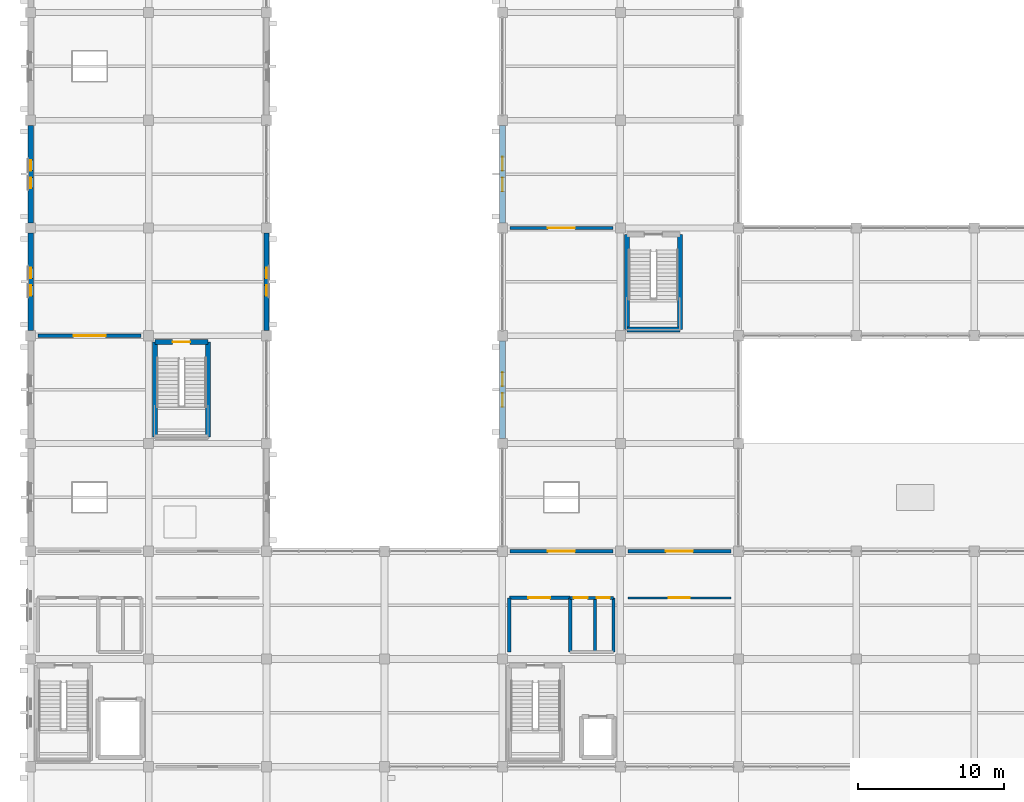
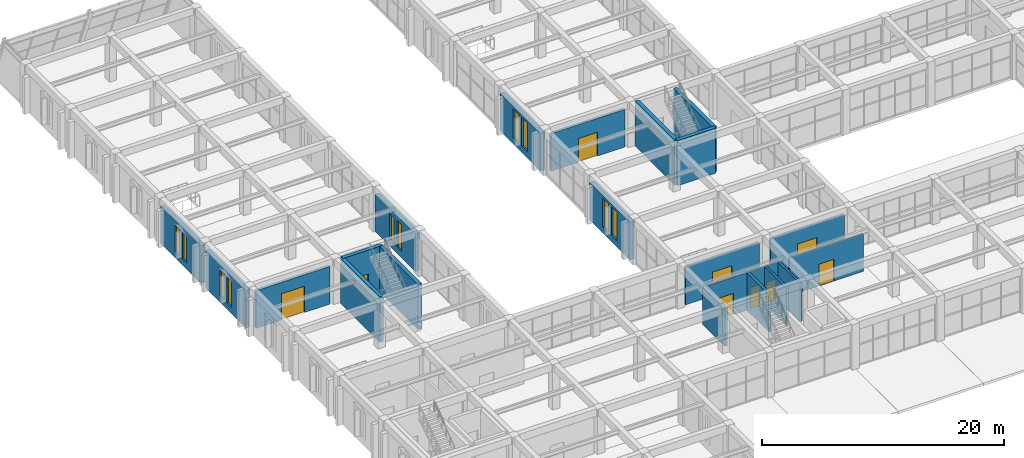
# One storey, part 145 of 161: 22 walls, 10 windows, 9 doors, 19 openings.
"""IFC4 building model written with IfcOpenShell, lengths in metres."""

from ifc_helpers import new_model, si_unit, direction, frame, frame_2d, origin, place, context, subcontext, project, spatial, rectangle, extrude, material, layer, layer_set, type_object, element, fill, save


model = new_model("IFC4")

# Units and contexts
model_context = context("Model", 3, precision=1e-05, world=origin(), true_north=direction((0.0, 1.0)))
body_context = subcontext(model_context, "Body", "Model", "MODEL_VIEW")
ifc_project = project(units=[si_unit("LENGTHUNIT", "METRE"), si_unit("AREAUNIT", "SQUARE_METRE"), si_unit("VOLUMEUNIT", "CUBIC_METRE"), si_unit("PLANEANGLEUNIT", "RADIAN"), si_unit("MASSUNIT", "GRAM", prefix="KILO")], contexts=[model_context])

# Site, building, storey
site_placement = place(None, origin())
site = spatial("IfcSite", under=ifc_project, at=site_placement, CompositionType="ELEMENT")
building_placement = place(site_placement, origin())
building = spatial("IfcBuilding", under=site, at=building_placement, Name="Cimatlan Art Gallery", CompositionType="ELEMENT")
storey_placement = place(building_placement, frame((0.0, 0.0, 5.39990234375)))
storey = spatial("IfcBuildingStorey", under=building, at=storey_placement, Name="L01", CompositionType="ELEMENT", Elevation=5.39990234375)

# Walls
ifc_material_1 = material(Name="Concrete C40/50", Category="concrete")
ifc_layer_1 = layer(ifc_material_1, 0.35009765625)
ifc_layer_set_1 = layer_set([ifc_layer_1], Name="Concrete C40/50")
wall_type_1 = type_object("IfcWallType", Name="W-CORE-350", PredefinedType="SHEAR", material=ifc_layer_set_1)
for number, where, z_axis, x_axis, name in (
    (1, (10.5400390625, 46.5400390625, 0.0), (0.0, 0.0, 1.0), (0.0, 1.0, 0.0), "WL-CORE-C7-L01-SW"),
    (2, (14.179931640625, 46.5400390625, 0.0), (0.0, 0.0, 1.0), (0.0, 1.0, 0.0), "WL-CORE-C7-L01-SE"),
):
    element("IfcWall", number, at=place(storey_placement, frame(where, z_axis=z_axis, x_axis=x_axis)), inside=storey, type_object=wall_type_1, Name=name, PredefinedType="SHEAR", context=body_context, shape_type="SweptSolid", body=[
        extrude(rectangle(XDim=6.52001953125, YDim=0.35009765625, at=frame_2d((3.260009765625, 0.0))), origin(), (0.0, 0.0, 1.0), 4.55517578125),
    ])

# Wall, opening, door
wall_1_placement = place(storey_placement, frame((10.5400390625, 53.06005859375, 0.0), z_axis=(0.0, 0.0, 1.0), x_axis=(1.0, 0.0, 0.0)))
wall_1 = element("IfcWall", 3, at=wall_1_placement, inside=storey, type_object=wall_type_1, Name="WL-CORE-C7-L01-SN", PredefinedType="SHEAR", context=body_context, shape_type="SweptSolid", body=[
    extrude(rectangle(XDim=3.639892578125, YDim=0.35009765625, at=frame_2d((1.81982421875, 0.0))), origin(), (0.0, 0.0, 1.0), 4.55517578125),
])
opening_1_placement = place(wall_1_placement, frame((1.219970703125, 0.0, 0.0)))
opening_1 = element("IfcOpeningElement", 4, at=opening_1_placement, cuts=wall_1, Name="Opening FD-C7-L01", PredefinedType="OPENING", context=body_context, shape_type="SweptSolid", body=[
    extrude(rectangle(XDim=1.199951171875, YDim=2.14990234375, at=frame_2d((0.60009765625, 1.074951171875))), frame((0.0, 0.18505859375, 0.0), z_axis=(0.0, -1.0, 0.0), x_axis=(1.0, 0.0, 0.0)), (0.0, 0.0, 1.0), 0.3701171875),
])
ifc_material_2 = material(Name="Fire-resisting steel acoustic stair door", Category="steel")
door_type_1 = type_object("IfcDoorType", Name="FD-ST-1200", OperationType="NOTDEFINED", PredefinedType="DOOR", material=ifc_material_2)
door_1_placement = place(opening_1_placement, origin())
door_1 = element("IfcDoor", 5, at=door_1_placement, inside=storey, type_object=door_type_1, Name="DR-C7-L01-ST", OperationType="SINGLE_SWING_RIGHT", OverallHeight=2.14990234375, OverallWidth=1.199951171875, PredefinedType="DOOR", context=body_context, shape_type="SweptSolid", body=[
    extrude(rectangle(XDim=1.199951171875, YDim=2.14990234375, at=frame_2d((0.60009765625, 1.074951171875))), frame((0.0, 0.02490234375, 0.0), z_axis=(0.0, -1.0, 0.0), x_axis=(1.0, 0.0, 0.0)), (0.0, 0.0, 1.0), 0.050048828125),
])
fill(opening_1, door_1)

# Walls
wall_2_placement = place(storey_placement, frame((42.93994140625, 53.93994140625, 0.0), z_axis=(0.0, 0.0, 1.0), x_axis=(0.0, 1.0, 0.0)))
element("IfcWall", 6, at=wall_2_placement, inside=storey, type_object=wall_type_1, Name="WL-CORE-C8-L01-SW", PredefinedType="SHEAR", context=body_context, shape_type="SweptSolid", body=[
    extrude(rectangle(XDim=6.52001953125, YDim=0.35009765625, at=frame_2d((3.260009765625, 0.0))), origin(), (0.0, 0.0, 1.0), 4.55517578125),
])
wall_3_placement = place(storey_placement, frame((42.93994140625, 53.93994140625, 0.0), z_axis=(0.0, 0.0, 1.0), x_axis=(1.0, 0.0, 0.0)))
element("IfcWall", 7, at=wall_3_placement, inside=storey, type_object=wall_type_1, Name="WL-CORE-C8-L01-SS", PredefinedType="SHEAR", context=body_context, shape_type="SweptSolid", body=[
    extrude(rectangle(XDim=3.64013671875, YDim=0.35009765625, at=frame_2d((1.820068359375, 0.0))), origin(), (0.0, 0.0, 1.0), 4.55517578125),
])
wall_4_placement = place(storey_placement, frame((46.580078125, 53.93994140625, 0.0), z_axis=(0.0, 0.0, 1.0), x_axis=(0.0, 1.0, 0.0)))
element("IfcWall", 8, at=wall_4_placement, inside=storey, type_object=wall_type_1, Name="WL-CORE-C8-L01-SE", PredefinedType="SHEAR", context=body_context, shape_type="SweptSolid", body=[
    extrude(rectangle(XDim=6.52001953125, YDim=0.35009765625, at=frame_2d((3.260009765625, 0.0))), origin(), (0.0, 0.0, 1.0), 4.55517578125),
])

# Wall, opening, door
ifc_material_3 = material(Name="Precast concrete C40/50", Category="concrete")
ifc_layer_2 = layer(ifc_material_3, 0.2451171875)
ifc_layer_set_2 = layer_set([ifc_layer_2], Name="Precast concrete C40/50")
wall_type_2 = type_object("IfcWallType", Name="W-FFL-245", PredefinedType="PARTITIONING", material=ifc_layer_set_2)
wall_5_placement = place(storey_placement, frame((34.8798828125, 35.5, 0.0), z_axis=(0.0, 0.0, 1.0), x_axis=(1.0, 0.0, 0.0)))
wall_5 = element("IfcWall", 9, at=wall_5_placement, inside=storey, type_object=wall_type_2, Name="WL-LOB-C2-L01-N", PredefinedType="PARTITIONING", context=body_context, shape_type="SweptSolid", body=[
    extrude(rectangle(XDim=4.170166015625, YDim=0.2451171875, at=frame_2d((2.0849609375, 0.0))), origin(), (0.0, 0.0, 1.0), 3.800048828125),
])
opening_2_placement = place(wall_5_placement, frame((1.300048828125, 0.0, 0.0)))
opening_2 = element("IfcOpeningElement", 10, at=opening_2_placement, cuts=wall_5, Name="Opening FDL-C2-L01", PredefinedType="OPENING", context=body_context, shape_type="SweptSolid", body=[
    extrude(rectangle(XDim=1.5, YDim=2.14990234375, at=frame_2d((0.75, 1.074951171875))), frame((0.0, 0.132568359375, 0.0), z_axis=(0.0, -1.0, 0.0), x_axis=(1.0, 0.0, 0.0)), (0.0, 0.0, 1.0), 0.26513671875),
])
ifc_material_4 = material(Name="Fire-resisting double-seal lobby door")
door_type_2 = type_object("IfcDoorType", Name="FD-LB-1500", OperationType="NOTDEFINED", PredefinedType="DOOR", material=ifc_material_4)
door_2_placement = place(opening_2_placement, origin())
door_2 = element("IfcDoor", 11, at=door_2_placement, inside=storey, type_object=door_type_2, Name="DR-LOB-C2-L01", OperationType="SINGLE_SWING_RIGHT", OverallHeight=2.14990234375, OverallWidth=1.5, PredefinedType="DOOR", context=body_context, shape_type="SweptSolid", body=[
    extrude(rectangle(XDim=1.5, YDim=2.14990234375, at=frame_2d((0.75, 1.074951171875))), frame((0.0, 0.02490234375, 0.0), z_axis=(0.0, -1.0, 0.0), x_axis=(1.0, 0.0, 0.0)), (0.0, 0.0, 1.0), 0.050048828125),
])
fill(opening_2, door_2)

# Walls
for number, where, z_axis, x_axis, name in (
    (12, (34.8798828125, 31.780029296875, 0.0), (0.0, 0.0, 1.0), (0.0, 1.0, 0.0), "WL-LOB-C2-L01-W"),
    (13, (39.050048828125, 31.780029296875, 0.0), (0.0, 0.0, 1.0), (0.0, 1.0, 0.0), "WL-LOB-C2-L01-M"),
):
    element("IfcWall", number, at=place(storey_placement, frame(where, z_axis=z_axis, x_axis=x_axis)), inside=storey, type_object=wall_type_2, Name=name, PredefinedType="PARTITIONING", context=body_context, shape_type="SweptSolid", body=[
        extrude(rectangle(XDim=3.719970703125, YDim=0.2451171875, at=frame_2d((1.85986328125, 0.0))), origin(), (0.0, 0.0, 1.0), 3.800048828125),
    ])

# Wall, opening, door
wall_6_placement = place(storey_placement, frame((2.52001953125, 53.5, 0.0), z_axis=(0.0, 0.0, 1.0), x_axis=(1.0, 0.0, 0.0)))
wall_6 = element("IfcWall", 14, at=wall_6_placement, inside=storey, type_object=wall_type_2, Name="WL-RM-L01-AST-01", PredefinedType="PARTITIONING", context=body_context, shape_type="SweptSolid", body=[
    extrude(rectangle(XDim=7.06005859375, YDim=0.2451171875, at=frame_2d((3.530029296875, 0.0))), origin(), (0.0, 0.0, 1.0), 3.800048828125),
])
opening_3_placement = place(wall_6_placement, frame((2.429931640625, 0.0, 0.0)))
opening_3 = element("IfcOpeningElement", 15, at=opening_3_placement, cuts=wall_6, Name="Opening DI-0199", PredefinedType="OPENING", context=body_context, shape_type="SweptSolid", body=[
    extrude(rectangle(XDim=2.199951171875, YDim=2.64990234375, at=frame_2d((1.10009765625, 1.324951171875))), frame((0.0, 0.132568359375, 0.0), z_axis=(0.0, -1.0, 0.0), x_axis=(1.0, 0.0, 0.0)), (0.0, 0.0, 1.0), 0.26513671875),
])
ifc_material_5 = material(Name="Fire-resisting large-format art-store door")
door_type_3 = type_object("IfcDoorType", Name="FD-VL-2200", OperationType="NOTDEFINED", PredefinedType="DOOR", material=ifc_material_5)
door_3_placement = place(opening_3_placement, origin())
door_3 = element("IfcDoor", 16, at=door_3_placement, inside=storey, type_object=door_type_3, Name="DR-RM-L01-AST-01", OperationType="SINGLE_SWING_LEFT", OverallHeight=2.64990234375, OverallWidth=2.199951171875, PredefinedType="DOOR", context=body_context, shape_type="SweptSolid", body=[
    extrude(rectangle(XDim=2.199951171875, YDim=2.64990234375, at=frame_2d((1.10009765625, 1.324951171875))), frame((0.0, 0.02490234375, 0.0), z_axis=(0.0, -1.0, 0.0), x_axis=(1.0, 0.0, 0.0)), (0.0, 0.0, 1.0), 0.050048828125),
])
fill(opening_3, door_3)

ifc_material_6 = material(Name="Acoustic gypsum and steel stud partition", Category="steel")
ifc_layer_3 = layer(ifc_material_6, 0.22509765625)
ifc_layer_set_3 = layer_set([ifc_layer_3], Name="Acoustic gypsum and steel stud partition")
wall_type_3 = type_object("IfcWallType", Name="W-GAL-225", PredefinedType="PARTITIONING", material=ifc_layer_set_3)
wall_7_placement = place(storey_placement, frame((34.919921875, 38.699951171875, 0.0), z_axis=(0.0, 0.0, 1.0), x_axis=(1.0, 0.0, 0.0)))
wall_7 = element("IfcWall", 17, at=wall_7_placement, inside=storey, type_object=wall_type_3, Name="WL-RM-L01-GAL-W1", PredefinedType="PARTITIONING", context=body_context, shape_type="SweptSolid", body=[
    extrude(rectangle(XDim=7.06005859375, YDim=0.22509765625, at=frame_2d((3.530029296875, 0.0))), origin(), (0.0, 0.0, 1.0), 3.800048828125),
])
opening_4_placement = place(wall_7_placement, frame((2.60498046875, 0.0, 0.0)))
opening_4 = element("IfcOpeningElement", 18, at=opening_4_placement, cuts=wall_7, Name="Opening DI-0203", PredefinedType="OPENING", context=body_context, shape_type="SweptSolid", body=[
    extrude(rectangle(XDim=1.85009765625, YDim=2.39990234375, at=frame_2d((0.925048828125, 1.199951171875))), frame((0.0, 0.12255859375, 0.0), z_axis=(0.0, -1.0, 0.0), x_axis=(1.0, 0.0, 0.0)), (0.0, 0.0, 1.0), 0.2451171875),
])
ifc_material_7 = material(Name="European oak gallery portal door")
door_type_4 = type_object("IfcDoorType", Name="DI-GL-1850", OperationType="NOTDEFINED", PredefinedType="DOOR", material=ifc_material_7)
door_4_placement = place(opening_4_placement, origin())
door_4 = element("IfcDoor", 19, at=door_4_placement, inside=storey, type_object=door_type_4, Name="DR-RM-L01-GAL-W1", OperationType="SINGLE_SWING_LEFT", OverallHeight=2.39990234375, OverallWidth=1.85009765625, PredefinedType="DOOR", context=body_context, shape_type="SweptSolid", body=[
    extrude(rectangle(XDim=1.85009765625, YDim=2.39990234375, at=frame_2d((0.925048828125, 1.199951171875))), frame((0.0, 0.02490234375, 0.0), z_axis=(0.0, -1.0, 0.0), x_axis=(1.0, 0.0, 0.0)), (0.0, 0.0, 1.0), 0.050048828125),
])
fill(opening_4, door_4)

wall_8_placement = place(storey_placement, frame((43.02001953125, 38.699951171875, 0.0), z_axis=(0.0, 0.0, 1.0), x_axis=(1.0, 0.0, 0.0)))
wall_8 = element("IfcWall", 20, at=wall_8_placement, inside=storey, type_object=wall_type_3, Name="WL-RM-L01-GAL-W1B", PredefinedType="PARTITIONING", context=body_context, shape_type="SweptSolid", body=[
    extrude(rectangle(XDim=7.06005859375, YDim=0.22509765625, at=frame_2d((3.530029296875, 0.0))), origin(), (0.0, 0.0, 1.0), 3.800048828125),
])
opening_5_placement = place(wall_8_placement, frame((2.60498046875, 0.0, 0.0)))
opening_5 = element("IfcOpeningElement", 21, at=opening_5_placement, cuts=wall_8, Name="Opening DI-0204", PredefinedType="OPENING", context=body_context, shape_type="SweptSolid", body=[
    extrude(rectangle(XDim=1.85009765625, YDim=2.39990234375, at=frame_2d((0.925048828125, 1.199951171875))), frame((0.0, 0.12255859375, 0.0), z_axis=(0.0, -1.0, 0.0), x_axis=(1.0, 0.0, 0.0)), (0.0, 0.0, 1.0), 0.2451171875),
])
door_5_placement = place(opening_5_placement, origin())
door_5 = element("IfcDoor", 22, at=door_5_placement, inside=storey, type_object=door_type_4, Name="DR-RM-L01-GAL-W1B", OperationType="SINGLE_SWING_RIGHT", OverallHeight=2.39990234375, OverallWidth=1.85009765625, PredefinedType="DOOR", context=body_context, shape_type="SweptSolid", body=[
    extrude(rectangle(XDim=1.85009765625, YDim=2.39990234375, at=frame_2d((0.925048828125, 1.199951171875))), frame((0.0, 0.02490234375, 0.0), z_axis=(0.0, -1.0, 0.0), x_axis=(1.0, 0.0, 0.0)), (0.0, 0.0, 1.0), 0.050048828125),
])
fill(opening_5, door_5)

wall_9_placement = place(storey_placement, frame((34.919921875, 60.89990234375, 0.0), z_axis=(0.0, 0.0, 1.0), x_axis=(1.0, 0.0, 0.0)))
wall_9 = element("IfcWall", 23, at=wall_9_placement, inside=storey, type_object=wall_type_3, Name="WL-RM-L01-GAL-W2", PredefinedType="PARTITIONING", context=body_context, shape_type="SweptSolid", body=[
    extrude(rectangle(XDim=7.06005859375, YDim=0.22509765625, at=frame_2d((3.530029296875, 0.0))), origin(), (0.0, 0.0, 1.0), 3.800048828125),
])
opening_6_placement = place(wall_9_placement, frame((2.60498046875, 0.0, 0.0)))
opening_6 = element("IfcOpeningElement", 24, at=opening_6_placement, cuts=wall_9, Name="Opening DI-0205", PredefinedType="OPENING", context=body_context, shape_type="SweptSolid", body=[
    extrude(rectangle(XDim=1.85009765625, YDim=2.39990234375, at=frame_2d((0.925048828125, 1.199951171875))), frame((0.0, 0.12255859375, 0.0), z_axis=(0.0, -1.0, 0.0), x_axis=(1.0, 0.0, 0.0)), (0.0, 0.0, 1.0), 0.2451171875),
])
door_6_placement = place(opening_6_placement, origin())
door_6 = element("IfcDoor", 25, at=door_6_placement, inside=storey, type_object=door_type_4, Name="DR-RM-L01-GAL-W2", OperationType="SINGLE_SWING_LEFT", OverallHeight=2.39990234375, OverallWidth=1.85009765625, PredefinedType="DOOR", context=body_context, shape_type="SweptSolid", body=[
    extrude(rectangle(XDim=1.85009765625, YDim=2.39990234375, at=frame_2d((0.925048828125, 1.199951171875))), frame((0.0, 0.02490234375, 0.0), z_axis=(0.0, -1.0, 0.0), x_axis=(1.0, 0.0, 0.0)), (0.0, 0.0, 1.0), 0.050048828125),
])
fill(opening_6, door_6)

ifc_material_8 = material(Name="Fire-rated gypsum board and steel stud partition", Category="steel")
ifc_layer_4 = layer(ifc_material_8, 0.139892578125)
ifc_layer_set_4 = layer_set([ifc_layer_4], Name="Fire-rated gypsum board and steel stud partition")
wall_type_4 = type_object("IfcWallType", Name="W-OFF-140", PredefinedType="PARTITIONING", material=ifc_layer_set_4)
wall_10_placement = place(storey_placement, frame((43.02001953125, 35.5, 0.0), z_axis=(0.0, 0.0, 1.0), x_axis=(1.0, 0.0, 0.0)))
wall_10 = element("IfcWall", 26, at=wall_10_placement, inside=storey, type_object=wall_type_4, Name="WL-RM-L01-LIB-01", PredefinedType="PARTITIONING", context=body_context, shape_type="SweptSolid", body=[
    extrude(rectangle(XDim=7.06005859375, YDim=0.139892578125, at=frame_2d((3.530029296875, 0.0))), origin(), (0.0, 0.0, 1.0), 3.800048828125),
])
opening_7_placement = place(wall_10_placement, frame((2.804931640625, 0.0, 0.0)))
opening_7 = element("IfcOpeningElement", 27, at=opening_7_placement, cuts=wall_10, Name="Opening DI-0201", PredefinedType="OPENING", context=body_context, shape_type="SweptSolid", body=[
    extrude(rectangle(XDim=1.449951171875, YDim=2.199951171875, at=frame_2d((0.72509765625, 1.10009765625))), frame((0.0, 0.080078125, 0.0), z_axis=(0.0, -1.0, 0.0), x_axis=(1.0, 0.0, 0.0)), (0.0, 0.0, 1.0), 0.159912109375),
])
ifc_material_9 = material(Name="Glazed bronze art-library door")
door_type_5 = type_object("IfcDoorType", Name="DI-LB-1450", OperationType="NOTDEFINED", PredefinedType="DOOR", material=ifc_material_9)
door_7_placement = place(opening_7_placement, origin())
door_7 = element("IfcDoor", 28, at=door_7_placement, inside=storey, type_object=door_type_5, Name="DR-RM-L01-LIB-01", OperationType="SINGLE_SWING_LEFT", OverallHeight=2.199951171875, OverallWidth=1.449951171875, PredefinedType="DOOR", context=body_context, shape_type="SweptSolid", body=[
    extrude(rectangle(XDim=1.449951171875, YDim=2.199951171875, at=frame_2d((0.72509765625, 1.10009765625))), frame((0.0, 0.02490234375, 0.0), z_axis=(0.0, -1.0, 0.0), x_axis=(1.0, 0.0, 0.0)), (0.0, 0.0, 1.0), 0.050048828125),
])
fill(opening_7, door_7)

# Walls
ifc_material_10 = material(Name="Moisture-resistant fire-rated plumbing wall")
ifc_layer_5 = layer(ifc_material_10, 0.195068359375)
ifc_layer_set_5 = layer_set([ifc_layer_5], Name="Moisture-resistant fire-rated plumbing wall")
wall_type_5 = type_object("IfcWallType", Name="W-PLM-195", PredefinedType="PARTITIONING", material=ifc_layer_set_5)
for number, where, z_axis, x_axis, name in (
    (29, (40.75, 31.780029296875, 0.0), (0.0, 0.0, 1.0), (0.0, 1.0, 0.0), "WL-LOB-C2-L01-D"),
    (30, (42.02001953125, 31.780029296875, 0.0), (0.0, 0.0, 1.0), (0.0, 1.0, 0.0), "WL-LOB-C2-L01-E"),
):
    element("IfcWall", number, at=place(storey_placement, frame(where, z_axis=z_axis, x_axis=x_axis)), inside=storey, type_object=wall_type_5, Name=name, PredefinedType="PARTITIONING", context=body_context, shape_type="SweptSolid", body=[
        extrude(rectangle(XDim=3.719970703125, YDim=0.195068359375, at=frame_2d((1.85986328125, 0.0))), origin(), (0.0, 0.0, 1.0), 3.800048828125),
    ])

# Wall, openings, doors
wall_11_placement = place(storey_placement, frame((39.050048828125, 35.5, 0.0), z_axis=(0.0, 0.0, 1.0), x_axis=(1.0, 0.0, 0.0)))
wall_11 = element("IfcWall", 31, at=wall_11_placement, inside=storey, type_object=wall_type_5, Name="WL-WC-C2-L01-N", PredefinedType="PARTITIONING", context=body_context, shape_type="SweptSolid", body=[
    extrude(rectangle(XDim=2.969970703125, YDim=0.195068359375, at=frame_2d((1.48486328125, 0.0))), origin(), (0.0, 0.0, 1.0), 3.800048828125),
])
opening_8_placement = place(wall_11_placement, frame((0.25, 0.0, 0.0)))
opening_8 = element("IfcOpeningElement", 32, at=opening_8_placement, cuts=wall_11, Name="Opening DWC-C2A-L01", PredefinedType="OPENING", context=body_context, shape_type="SweptSolid", body=[
    extrude(rectangle(XDim=0.949951171875, YDim=2.10009765625, at=frame_2d((0.47509765625, 1.050048828125))), frame((0.0, 0.107421875, 0.0), z_axis=(0.0, -1.0, 0.0), x_axis=(1.0, 0.0, 0.0)), (0.0, 0.0, 1.0), 0.215087890625),
])
opening_9_placement = place(wall_11_placement, frame((1.820068359375, 0.0, 0.0)))
opening_9 = element("IfcOpeningElement", 33, at=opening_9_placement, cuts=wall_11, Name="Opening DWC-C2B-L01", PredefinedType="OPENING", context=body_context, shape_type="SweptSolid", body=[
    extrude(rectangle(XDim=0.89990234375, YDim=2.10009765625, at=frame_2d((0.449951171875, 1.050048828125))), frame((0.0, 0.107421875, 0.0), z_axis=(0.0, -1.0, 0.0), x_axis=(1.0, 0.0, 0.0)), (0.0, 0.0, 1.0), 0.215087890625),
])
ifc_material_11 = material(Name="Sanitary room door")
door_type_6 = type_object("IfcDoorType", Name="DI-WC-0900", OperationType="NOTDEFINED", PredefinedType="DOOR", material=ifc_material_11)
door_8_placement = place(opening_9_placement, origin())
door_8 = element("IfcDoor", 34, at=door_8_placement, inside=storey, type_object=door_type_6, Name="DR-PWC-C2-L01", OperationType="SINGLE_SWING_RIGHT", OverallHeight=2.10009765625, OverallWidth=0.89990234375, PredefinedType="DOOR", context=body_context, shape_type="SweptSolid", body=[
    extrude(rectangle(XDim=0.89990234375, YDim=2.10009765625, at=frame_2d((0.449951171875, 1.050048828125))), frame((0.0, 0.02490234375, 0.0), z_axis=(0.0, -1.0, 0.0), x_axis=(1.0, 0.0, 0.0)), (0.0, 0.0, 1.0), 0.050048828125),
])
fill(opening_9, door_8)
ifc_material_12 = material(Name="Accessible sanitary room door")
door_type_7 = type_object("IfcDoorType", Name="DI-WC-0950", OperationType="NOTDEFINED", PredefinedType="DOOR", material=ifc_material_12)
door_9_placement = place(opening_8_placement, origin())
door_9 = element("IfcDoor", 35, at=door_9_placement, inside=storey, type_object=door_type_7, Name="DR-AWC-C2-L01", OperationType="SINGLE_SWING_LEFT", OverallHeight=2.10009765625, OverallWidth=0.949951171875, PredefinedType="DOOR", context=body_context, shape_type="SweptSolid", body=[
    extrude(rectangle(XDim=0.949951171875, YDim=2.10009765625, at=frame_2d((0.47509765625, 1.050048828125))), frame((0.0, 0.02490234375, 0.0), z_axis=(0.0, -1.0, 0.0), x_axis=(1.0, 0.0, 0.0)), (0.0, 0.0, 1.0), 0.050048828125),
])
fill(opening_8, door_9)

# Wall, openings, windows
ifc_layer_6 = layer(ifc_material_3, 0.419921875)
ifc_layer_set_6 = layer_set([ifc_layer_6], Name="Precast concrete C40/50")
wall_type_6 = type_object("IfcWallType", Name="WL-EXT-CAN-420", PredefinedType="SOLIDWALL", material=ifc_layer_set_6)
wall_12_placement = place(storey_placement, frame((34.39990234375, 46.4541015625, 0.0), z_axis=(0.0, 0.0, 1.0), x_axis=(0.0, 1.0, 0.0)))
wall_12 = element("IfcWall", 36, at=wall_12_placement, inside=storey, type_object=wall_type_6, Name="WL-EXT-L01-04-06-W", PredefinedType="SOLIDWALL", context=body_context, shape_type="SweptSolid", body=[
    extrude(rectangle(XDim=6.69189453125, YDim=0.419921875, at=frame_2d((3.345947265625, 0.0))), origin(), (0.0, 0.0, 1.0), 3.795166015625),
])
opening_10_placement = place(wall_12_placement, frame((2.166015625, 0.0, 0.64990234375)))
opening_10 = element("IfcOpeningElement", 37, at=opening_10_placement, cuts=wall_12, Name="Opening WN-0097", PredefinedType="OPENING", context=body_context, shape_type="SweptSolid", body=[
    extrude(rectangle(XDim=0.93994140625, YDim=2.8798828125, at=frame_2d((0.469970703125, 1.43994140625))), frame((0.0, 0.219970703125, 0.0), z_axis=(0.0, -1.0, 0.0), x_axis=(1.0, 0.0, 0.0)), (0.0, 0.0, 1.0), 0.43994140625),
])
opening_11_placement = place(wall_12_placement, frame((3.5859375, 0.0, 0.64990234375)))
opening_11 = element("IfcOpeningElement", 38, at=opening_11_placement, cuts=wall_12, Name="Opening WN-0098", PredefinedType="OPENING", context=body_context, shape_type="SweptSolid", body=[
    extrude(rectangle(XDim=0.93994140625, YDim=2.8798828125, at=frame_2d((0.469970703125, 1.43994140625))), frame((0.0, 0.219970703125, 0.0), z_axis=(0.0, -1.0, 0.0), x_axis=(1.0, 0.0, 0.0)), (0.0, 0.0, 1.0), 0.43994140625),
])
ifc_material_13 = material(Name="Low-E laminated double glazing in bronze lancet frame", Category="glass")
window_type_1 = type_object("IfcWindowType", Name="WIN-PAV-W1-0940X2880", PartitioningType="SINGLE_PANEL", PredefinedType="WINDOW", material=ifc_material_13)
window_1_placement = place(opening_10_placement, origin())
window_1 = element("IfcWindow", 39, at=window_1_placement, inside=storey, type_object=window_type_1, Name="WIN-0097", OverallHeight=2.8798828125, OverallWidth=0.93994140625, PartitioningType="SINGLE_PANEL", PredefinedType="WINDOW", context=body_context, shape_type="SweptSolid", body=[
    extrude(rectangle(XDim=0.93994140625, YDim=2.8798828125, at=frame_2d((0.469970703125, 1.43994140625))), frame((0.0, 0.030029296875, 0.0), z_axis=(0.0, -1.0, 0.0), x_axis=(1.0, 0.0, 0.0)), (0.0, 0.0, 1.0), 0.06005859375),
])
fill(opening_10, window_1)
window_2_placement = place(opening_11_placement, origin())
window_2 = element("IfcWindow", 40, at=window_2_placement, inside=storey, type_object=window_type_1, Name="WIN-0098", OverallHeight=2.8798828125, OverallWidth=0.93994140625, PartitioningType="SINGLE_PANEL", PredefinedType="WINDOW", context=body_context, shape_type="SweptSolid", body=[
    extrude(rectangle(XDim=0.93994140625, YDim=2.8798828125, at=frame_2d((0.469970703125, 1.43994140625))), frame((0.0, 0.030029296875, 0.0), z_axis=(0.0, -1.0, 0.0), x_axis=(1.0, 0.0, 0.0)), (0.0, 0.0, 1.0), 0.06005859375),
])
fill(opening_11, window_2)

wall_13_placement = place(storey_placement, frame((34.39990234375, 61.25390625, 0.0), z_axis=(0.0, 0.0, 1.0), x_axis=(0.0, 1.0, 0.0)))
wall_13 = element("IfcWall", 41, at=wall_13_placement, inside=storey, type_object=wall_type_6, Name="WL-EXT-L01-04-08-W", PredefinedType="SOLIDWALL", context=body_context, shape_type="SweptSolid", body=[
    extrude(rectangle(XDim=6.692138671875, YDim=0.419921875, at=frame_2d((3.34619140625, 0.0))), origin(), (0.0, 0.0, 1.0), 3.795166015625),
])
opening_12_placement = place(wall_13_placement, frame((2.166015625, 0.0, 0.64990234375)))
opening_12 = element("IfcOpeningElement", 42, at=opening_12_placement, cuts=wall_13, Name="Opening WN-0099", PredefinedType="OPENING", context=body_context, shape_type="SweptSolid", body=[
    extrude(rectangle(XDim=0.93994140625, YDim=2.8798828125, at=frame_2d((0.469970703125, 1.43994140625))), frame((0.0, 0.219970703125, 0.0), z_axis=(0.0, -1.0, 0.0), x_axis=(1.0, 0.0, 0.0)), (0.0, 0.0, 1.0), 0.43994140625),
])
opening_13_placement = place(wall_13_placement, frame((3.5859375, 0.0, 0.64990234375)))
opening_13 = element("IfcOpeningElement", 43, at=opening_13_placement, cuts=wall_13, Name="Opening WN-0100", PredefinedType="OPENING", context=body_context, shape_type="SweptSolid", body=[
    extrude(rectangle(XDim=0.93994140625, YDim=2.8798828125, at=frame_2d((0.469970703125, 1.43994140625))), frame((0.0, 0.219970703125, 0.0), z_axis=(0.0, -1.0, 0.0), x_axis=(1.0, 0.0, 0.0)), (0.0, 0.0, 1.0), 0.43994140625),
])
window_3_placement = place(opening_12_placement, origin())
window_3 = element("IfcWindow", 44, at=window_3_placement, inside=storey, type_object=window_type_1, Name="WIN-0099", OverallHeight=2.8798828125, OverallWidth=0.93994140625, PartitioningType="SINGLE_PANEL", PredefinedType="WINDOW", context=body_context, shape_type="SweptSolid", body=[
    extrude(rectangle(XDim=0.93994140625, YDim=2.8798828125, at=frame_2d((0.469970703125, 1.43994140625))), frame((0.0, 0.030029296875, 0.0), z_axis=(0.0, -1.0, 0.0), x_axis=(1.0, 0.0, 0.0)), (0.0, 0.0, 1.0), 0.06005859375),
])
fill(opening_12, window_3)
window_4_placement = place(opening_13_placement, origin())
window_4 = element("IfcWindow", 45, at=window_4_placement, inside=storey, type_object=window_type_1, Name="WIN-0100", OverallHeight=2.8798828125, OverallWidth=0.93994140625, PartitioningType="SINGLE_PANEL", PredefinedType="WINDOW", context=body_context, shape_type="SweptSolid", body=[
    extrude(rectangle(XDim=0.93994140625, YDim=2.8798828125, at=frame_2d((0.469970703125, 1.43994140625))), frame((0.0, 0.030029296875, 0.0), z_axis=(0.0, -1.0, 0.0), x_axis=(1.0, 0.0, 0.0)), (0.0, 0.0, 1.0), 0.06005859375),
])
fill(opening_13, window_4)

ifc_layer_7 = layer(ifc_material_3, 0.364990234375)
ifc_layer_set_7 = layer_set([ifc_layer_7], Name="Precast concrete C40/50")
wall_type_7 = type_object("IfcWallType", Name="WL-EXT-VLT-365", PredefinedType="SOLIDWALL", material=ifc_layer_set_7)
wall_14_placement = place(storey_placement, frame((2.0, 53.85400390625, 0.0), z_axis=(0.0, 0.0, 1.0), x_axis=(0.0, 1.0, 0.0)))
wall_14 = element("IfcWall", 46, at=wall_14_placement, inside=storey, type_object=wall_type_7, Name="WL-EXT-L01-00-07-W", PredefinedType="SOLIDWALL", context=body_context, shape_type="SweptSolid", body=[
    extrude(rectangle(XDim=6.69189453125, YDim=0.364990234375, at=frame_2d((3.345947265625, 0.0))), origin(), (0.0, 0.0, 1.0), 3.795166015625),
])
opening_14_placement = place(wall_14_placement, frame((2.385986328125, 0.0, 0.64990234375)))
opening_14 = element("IfcOpeningElement", 47, at=opening_14_placement, cuts=wall_14, Name="Opening WN-0069", PredefinedType="OPENING", context=body_context, shape_type="SweptSolid", body=[
    extrude(rectangle(XDim=0.719970703125, YDim=2.64990234375, at=frame_2d((0.35986328125, 1.324951171875))), frame((0.0, 0.1923828125, 0.0), z_axis=(0.0, -1.0, 0.0), x_axis=(1.0, 0.0, 0.0)), (0.0, 0.0, 1.0), 0.385009765625),
])
opening_15_placement = place(wall_14_placement, frame((3.5859375, 0.0, 0.64990234375)))
opening_15 = element("IfcOpeningElement", 48, at=opening_15_placement, cuts=wall_14, Name="Opening WN-0070", PredefinedType="OPENING", context=body_context, shape_type="SweptSolid", body=[
    extrude(rectangle(XDim=0.719970703125, YDim=2.64990234375, at=frame_2d((0.35986328125, 1.324951171875))), frame((0.0, 0.1923828125, 0.0), z_axis=(0.0, -1.0, 0.0), x_axis=(1.0, 0.0, 0.0)), (0.0, 0.0, 1.0), 0.385009765625),
])
window_type_2 = type_object("IfcWindowType", Name="WIN-CNS-L01-0720X2650", PartitioningType="SINGLE_PANEL", PredefinedType="WINDOW", material=ifc_material_13)
window_5_placement = place(opening_14_placement, origin())
window_5 = element("IfcWindow", 49, at=window_5_placement, inside=storey, type_object=window_type_2, Name="WIN-0069", OverallHeight=2.64990234375, OverallWidth=0.719970703125, PartitioningType="SINGLE_PANEL", PredefinedType="WINDOW", context=body_context, shape_type="SweptSolid", body=[
    extrude(rectangle(XDim=0.719970703125, YDim=2.64990234375, at=frame_2d((0.35986328125, 1.324951171875))), frame((0.0, 0.030029296875, 0.0), z_axis=(0.0, -1.0, 0.0), x_axis=(1.0, 0.0, 0.0)), (0.0, 0.0, 1.0), 0.06005859375),
])
fill(opening_14, window_5)
window_6_placement = place(opening_15_placement, origin())
window_6 = element("IfcWindow", 50, at=window_6_placement, inside=storey, type_object=window_type_2, Name="WIN-0070", OverallHeight=2.64990234375, OverallWidth=0.719970703125, PartitioningType="SINGLE_PANEL", PredefinedType="WINDOW", context=body_context, shape_type="SweptSolid", body=[
    extrude(rectangle(XDim=0.719970703125, YDim=2.64990234375, at=frame_2d((0.35986328125, 1.324951171875))), frame((0.0, 0.030029296875, 0.0), z_axis=(0.0, -1.0, 0.0), x_axis=(1.0, 0.0, 0.0)), (0.0, 0.0, 1.0), 0.06005859375),
])
fill(opening_15, window_6)

wall_15_placement = place(storey_placement, frame((2.0, 61.25390625, 0.0), z_axis=(0.0, 0.0, 1.0), x_axis=(0.0, 1.0, 0.0)))
wall_15 = element("IfcWall", 51, at=wall_15_placement, inside=storey, type_object=wall_type_7, Name="WL-EXT-L01-00-08-W", PredefinedType="SOLIDWALL", context=body_context, shape_type="SweptSolid", body=[
    extrude(rectangle(XDim=6.692138671875, YDim=0.364990234375, at=frame_2d((3.34619140625, 0.0))), origin(), (0.0, 0.0, 1.0), 3.795166015625),
])
opening_16_placement = place(wall_15_placement, frame((2.385986328125, 0.0, 0.64990234375)))
opening_16 = element("IfcOpeningElement", 52, at=opening_16_placement, cuts=wall_15, Name="Opening WN-0071", PredefinedType="OPENING", context=body_context, shape_type="SweptSolid", body=[
    extrude(rectangle(XDim=0.719970703125, YDim=2.64990234375, at=frame_2d((0.35986328125, 1.324951171875))), frame((0.0, 0.1923828125, 0.0), z_axis=(0.0, -1.0, 0.0), x_axis=(1.0, 0.0, 0.0)), (0.0, 0.0, 1.0), 0.385009765625),
])
opening_17_placement = place(wall_15_placement, frame((3.5859375, 0.0, 0.64990234375)))
opening_17 = element("IfcOpeningElement", 53, at=opening_17_placement, cuts=wall_15, Name="Opening WN-0072", PredefinedType="OPENING", context=body_context, shape_type="SweptSolid", body=[
    extrude(rectangle(XDim=0.719970703125, YDim=2.64990234375, at=frame_2d((0.35986328125, 1.324951171875))), frame((0.0, 0.1923828125, 0.0), z_axis=(0.0, -1.0, 0.0), x_axis=(1.0, 0.0, 0.0)), (0.0, 0.0, 1.0), 0.385009765625),
])
window_7_placement = place(opening_16_placement, origin())
window_7 = element("IfcWindow", 54, at=window_7_placement, inside=storey, type_object=window_type_2, Name="WIN-0071", OverallHeight=2.64990234375, OverallWidth=0.719970703125, PartitioningType="SINGLE_PANEL", PredefinedType="WINDOW", context=body_context, shape_type="SweptSolid", body=[
    extrude(rectangle(XDim=0.719970703125, YDim=2.64990234375, at=frame_2d((0.35986328125, 1.324951171875))), frame((0.0, 0.030029296875, 0.0), z_axis=(0.0, -1.0, 0.0), x_axis=(1.0, 0.0, 0.0)), (0.0, 0.0, 1.0), 0.06005859375),
])
fill(opening_16, window_7)
window_8_placement = place(opening_17_placement, origin())
window_8 = element("IfcWindow", 55, at=window_8_placement, inside=storey, type_object=window_type_2, Name="WIN-0072", OverallHeight=2.64990234375, OverallWidth=0.719970703125, PartitioningType="SINGLE_PANEL", PredefinedType="WINDOW", context=body_context, shape_type="SweptSolid", body=[
    extrude(rectangle(XDim=0.719970703125, YDim=2.64990234375, at=frame_2d((0.35986328125, 1.324951171875))), frame((0.0, 0.030029296875, 0.0), z_axis=(0.0, -1.0, 0.0), x_axis=(1.0, 0.0, 0.0)), (0.0, 0.0, 1.0), 0.06005859375),
])
fill(opening_17, window_8)

wall_16_placement = place(storey_placement, frame((18.199951171875, 60.5458984375, 0.0), z_axis=(0.0, 0.0, 1.0), x_axis=(0.0, -1.0, 0.0)))
wall_16 = element("IfcWall", 56, at=wall_16_placement, inside=storey, type_object=wall_type_7, Name="WL-EXT-L01-01-07-E", PredefinedType="SOLIDWALL", context=body_context, shape_type="SweptSolid", body=[
    extrude(rectangle(XDim=6.69189453125, YDim=0.364990234375, at=frame_2d((3.345947265625, 0.0))), origin(), (0.0, 0.0, 1.0), 3.795166015625),
])
opening_18_placement = place(wall_16_placement, frame((2.385986328125, 0.0, 0.64990234375)))
opening_18 = element("IfcOpeningElement", 57, at=opening_18_placement, cuts=wall_16, Name="Opening WN-0083", PredefinedType="OPENING", context=body_context, shape_type="SweptSolid", body=[
    extrude(rectangle(XDim=0.719970703125, YDim=2.64990234375, at=frame_2d((0.35986328125, 1.324951171875))), frame((0.0, 0.1923828125, 0.0), z_axis=(0.0, -1.0, 0.0), x_axis=(1.0, 0.0, 0.0)), (0.0, 0.0, 1.0), 0.385009765625),
])
opening_19_placement = place(wall_16_placement, frame((3.5859375, 0.0, 0.64990234375)))
opening_19 = element("IfcOpeningElement", 58, at=opening_19_placement, cuts=wall_16, Name="Opening WN-0084", PredefinedType="OPENING", context=body_context, shape_type="SweptSolid", body=[
    extrude(rectangle(XDim=0.719970703125, YDim=2.64990234375, at=frame_2d((0.35986328125, 1.324951171875))), frame((0.0, 0.1923828125, 0.0), z_axis=(0.0, -1.0, 0.0), x_axis=(1.0, 0.0, 0.0)), (0.0, 0.0, 1.0), 0.385009765625),
])
window_9_placement = place(opening_18_placement, origin())
window_9 = element("IfcWindow", 59, at=window_9_placement, inside=storey, type_object=window_type_2, Name="WIN-0083", OverallHeight=2.64990234375, OverallWidth=0.719970703125, PartitioningType="SINGLE_PANEL", PredefinedType="WINDOW", context=body_context, shape_type="SweptSolid", body=[
    extrude(rectangle(XDim=0.719970703125, YDim=2.64990234375, at=frame_2d((0.35986328125, 1.324951171875))), frame((0.0, 0.030029296875, 0.0), z_axis=(0.0, -1.0, 0.0), x_axis=(1.0, 0.0, 0.0)), (0.0, 0.0, 1.0), 0.06005859375),
])
fill(opening_18, window_9)
window_10_placement = place(opening_19_placement, origin())
window_10 = element("IfcWindow", 60, at=window_10_placement, inside=storey, type_object=window_type_2, Name="WIN-0084", OverallHeight=2.64990234375, OverallWidth=0.719970703125, PartitioningType="SINGLE_PANEL", PredefinedType="WINDOW", context=body_context, shape_type="SweptSolid", body=[
    extrude(rectangle(XDim=0.719970703125, YDim=2.64990234375, at=frame_2d((0.35986328125, 1.324951171875))), frame((0.0, 0.030029296875, 0.0), z_axis=(0.0, -1.0, 0.0), x_axis=(1.0, 0.0, 0.0)), (0.0, 0.0, 1.0), 0.06005859375),
])
fill(opening_19, window_10)

save(model, "model.ifc")
